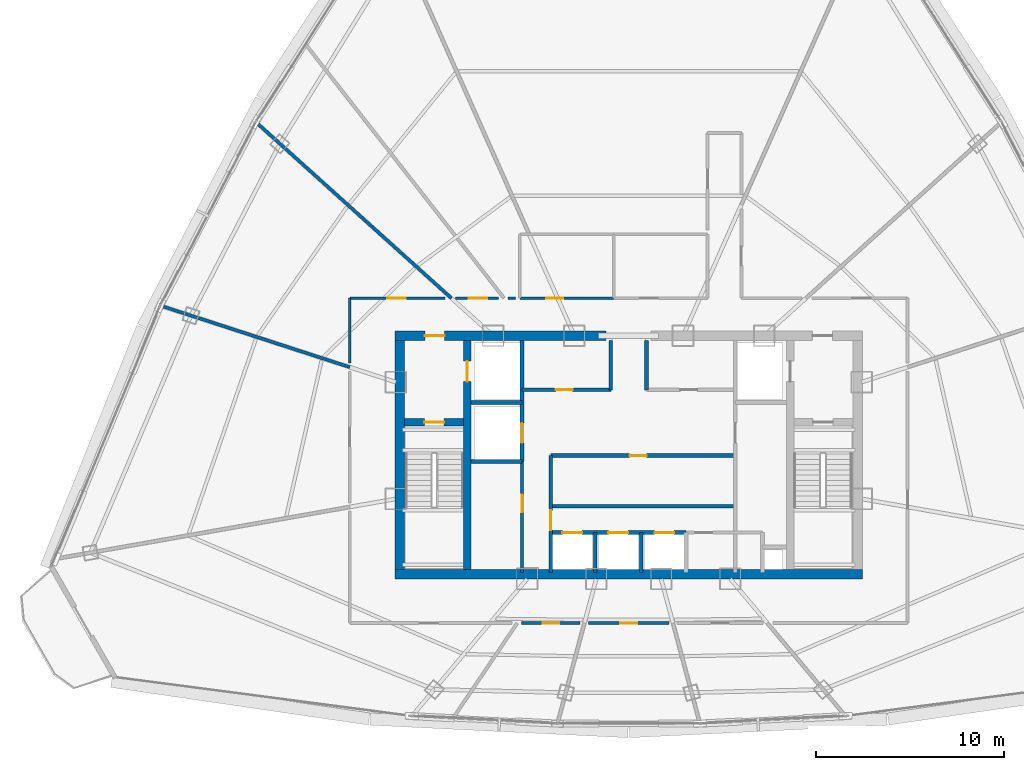
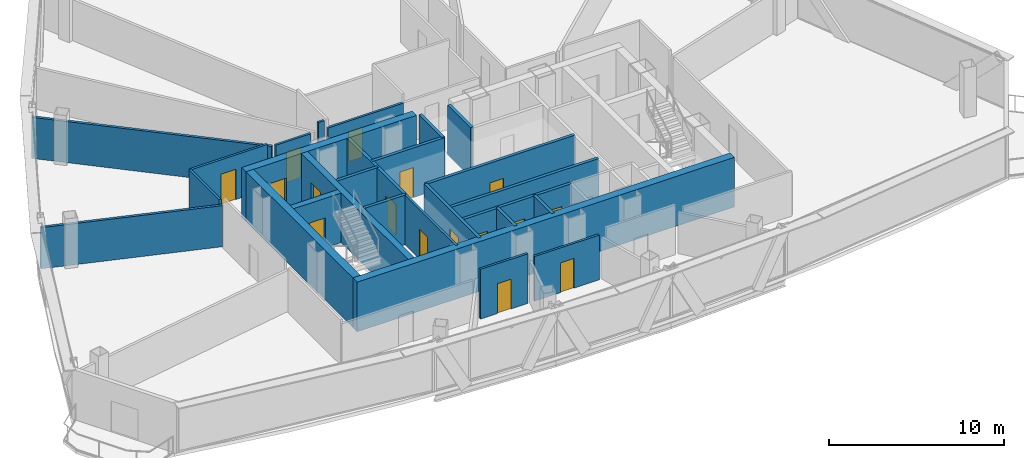
# One storey, part 30 of 35: 27 walls, 16 doors, 16 openings.
"""IFC4 building model written with IfcOpenShell, lengths in metres."""

from ifc_helpers import new_model, si_unit, direction, frame, frame_2d, origin, origin_with_axes, place, context, subcontext, project, spatial, rectangle, extrude, source, transform, mapped, material, layer, layer_set, type_object, element, fill, save


model = new_model("IFC4")

# Units and contexts
model_context = context("Model", 3, precision=1e-05, world=origin(), true_north=direction((0.0, 1.0)))
body_context = subcontext(model_context, "Body", "Model", "MODEL_VIEW")
ifc_project = project(units=[si_unit("LENGTHUNIT", "METRE"), si_unit("AREAUNIT", "SQUARE_METRE"), si_unit("VOLUMEUNIT", "CUBIC_METRE"), si_unit("PLANEANGLEUNIT", "RADIAN"), si_unit("MASSUNIT", "GRAM", prefix="KILO"), si_unit("THERMODYNAMICTEMPERATUREUNIT", "KELVIN"), si_unit("POWERUNIT", "WATT")], contexts=[model_context])

# Site, building, storey
site_placement = place(None, origin())
site = spatial("IfcSite", under=ifc_project, at=site_placement, CompositionType="ELEMENT")
building_placement = place(site_placement, origin())
building = spatial("IfcBuilding", under=site, at=building_placement, Name="Yunzhuo Pagoda Commons", CompositionType="ELEMENT")
storey_placement = place(building_placement, frame((0.0, 0.0, 299.93994140625)))
storey = spatial("IfcBuildingStorey", under=building, at=storey_placement, Name="L75", CompositionType="ELEMENT", Elevation=299.93994140625)

# Wall
ifc_material_1 = material(Name="Concrete C50", Category="concrete")
ifc_layer_1 = layer(ifc_material_1, 0.5)
ifc_layer_set_1 = layer_set([ifc_layer_1], Name="Concrete C50")
wall_type_1 = type_object("IfcWallType", Name="W-C03 Upper Core Shear Wall 500", PredefinedType="SHEAR", material=ifc_layer_set_1)
wall_1_placement = place(storey_placement, frame((35.550048828125, 27.5, 0.0), z_axis=(0.0, 0.0, 1.0), x_axis=(1.0, 0.0, 0.0)))
element("IfcWall", 1, at=wall_1_placement, inside=storey, type_object=wall_type_1, Name="L75 core shear wall S", PredefinedType="SHEAR", context=body_context, shape_type="SweptSolid", body=[
    extrude(rectangle(XDim=24.89990234375, YDim=0.5, at=frame_2d((12.449951171875, 0.0))), origin(), (0.0, 0.0, 1.0), 3.469970703125),
])

# Wall, opening, door
wall_2_placement = place(storey_placement, frame((35.550048828125, 40.199951171875, 0.0), z_axis=(0.0, 0.0, 1.0), x_axis=(1.0, 0.0, 0.0)))
wall_2 = element("IfcWall", 2, at=wall_2_placement, inside=storey, type_object=wall_type_1, Name="L75 core shear wall NW", PredefinedType="SHEAR", context=body_context, shape_type="SweptSolid", body=[
    extrude(rectangle(XDim=11.25, YDim=0.5, at=frame_2d((5.625, 0.0))), origin(), (0.0, 0.0, 1.0), 3.469970703125),
])
opening_1_placement = place(wall_2_placement, frame((1.60009765625, 0.0, 0.0)))
opening_1 = element("IfcOpeningElement", 3, at=opening_1_placement, cuts=wall_2, Name="Opening D-02", PredefinedType="OPENING", context=body_context, shape_type="SweptSolid", body=[
    extrude(rectangle(XDim=1.050048828125, YDim=2.10009765625, at=frame_2d((0.52490234375, 1.050048828125))), frame((0.0, 0.260009765625, 0.0), z_axis=(0.0, -1.0, 0.0), x_axis=(1.0, 0.0, 0.0)), (0.0, 0.0, 1.0), 0.52001953125),
])
ifc_material_2 = material(Name="Galvanized fire-resisting metal leaf")
door_type_1 = type_object("IfcDoorType", Name="D-02 Firefighting Lobby & Refuge Fire Door 1050x2100", OperationType="NOTDEFINED", PredefinedType="DOOR", material=ifc_material_2)
shared_shape_1 = source(origin(), body_context, "Body", "SweptSolid", [
    extrude(rectangle(XDim=1.050048828125, YDim=2.10009765625, at=frame_2d((0.52490234375, 1.050048828125))), frame((0.0, 0.02490234375, 0.0), z_axis=(0.0, -1.0, 0.0), x_axis=(1.0, 0.0, 0.0)), (0.0, 0.0, 1.0), 0.050048828125),
])
door_1_placement = place(opening_1_placement, frame((1.050048828125, 0.0, 0.0), z_axis=(0.0, 0.0, 1.0), x_axis=(-1.0, 0.0, 0.0)))
door_1 = element("IfcDoor", 4, at=door_1_placement, inside=storey, type_object=door_type_1, Name="L75 Firefighting Lobby 1 fire door", OperationType="SINGLE_SWING_LEFT", OverallHeight=2.10009765625, OverallWidth=1.050048828125, PredefinedType="DOOR", context=body_context, shape_type="MappedRepresentation", body=[
    mapped(shared_shape_1, transform((0.0, 0.0, 0.0), scale=1.0)),
])
fill(opening_1, door_1)

# Wall
wall_3_placement = place(storey_placement, frame((35.800048828125, 27.75, 0.0), z_axis=(0.0, 0.0, 1.0), x_axis=(0.0, 1.0, 0.0)))
element("IfcWall", 5, at=wall_3_placement, inside=storey, type_object=wall_type_1, Name="L75 core shear wall W", PredefinedType="SHEAR", context=body_context, shape_type="SweptSolid", body=[
    extrude(rectangle(XDim=12.199951171875, YDim=0.5, at=frame_2d((6.10009765625, 0.0))), origin(), (0.0, 0.0, 1.0), 3.469970703125),
])

# Wall, opening, door
ifc_material_3 = material(Name="Gypsum plasterboard on acoustic stud")
ifc_layer_2 = layer(ifc_material_3, 0.14990234375)
ifc_layer_set_2 = layer_set([ifc_layer_2], Name="Gypsum plasterboard on acoustic stud")
wall_type_2 = type_object("IfcWallType", Name="W-COR3 High-Zone Rated Corridor Wall 150", PredefinedType="PARTITIONING", material=ifc_layer_set_2)
wall_4_placement = place(storey_placement, frame((42.320068359375, 27.60009765625, 0.0), z_axis=(0.0, 0.0, 1.0), x_axis=(0.0, 1.0, 0.0)))
wall_4 = element("IfcWall", 6, at=wall_4_placement, inside=storey, type_object=wall_type_2, Name="L75 interior wall IW-L75-CSWE", PredefinedType="PARTITIONING", context=body_context, shape_type="SweptSolid", body=[
    extrude(rectangle(XDim=5.89990234375, YDim=0.14990234375, at=frame_2d((2.949951171875, 0.0))), origin(), (0.0, 0.0, 1.0), 3.469970703125),
])
opening_2_placement = place(wall_4_placement, frame((3.199951171875, 0.0, 0.0)))
opening_2 = element("IfcOpeningElement", 7, at=opening_2_placement, cuts=wall_4, Name="Opening D-11", PredefinedType="OPENING", context=body_context, shape_type="SweptSolid", body=[
    extrude(rectangle(XDim=0.93994140625, YDim=2.10009765625, at=frame_2d((0.469970703125, 1.050048828125))), frame((0.0, 0.0849609375, 0.0), z_axis=(0.0, -1.0, 0.0), x_axis=(1.0, 0.0, 0.0)), (0.0, 0.0, 1.0), 0.169921875),
])
door_type_2 = type_object("IfcDoorType", Name="D-11 Accessible Washroom Fire Door 940x2100", OperationType="NOTDEFINED", PredefinedType="DOOR", material=ifc_material_2)
shared_shape_2 = source(origin(), body_context, "Body", "SweptSolid", [
    extrude(rectangle(XDim=0.93994140625, YDim=2.10009765625, at=frame_2d((0.469970703125, 1.050048828125))), frame((0.0, 0.02490234375, 0.0), z_axis=(0.0, -1.0, 0.0), x_axis=(1.0, 0.0, 0.0)), (0.0, 0.0, 1.0), 0.050048828125),
])
door_2_placement = place(opening_2_placement, origin_with_axes())
door_2 = element("IfcDoor", 8, at=door_2_placement, inside=storey, type_object=door_type_2, Name="L75 core WC door", OperationType="SINGLE_SWING_LEFT", OverallHeight=2.10009765625, OverallWidth=0.93994140625, PredefinedType="DOOR", context=body_context, shape_type="MappedRepresentation", body=[
    mapped(shared_shape_2, transform((0.0, 0.0, 0.0), scale=1.0)),
])
fill(opening_2, door_2)

wall_5_placement = place(storey_placement, frame((42.199951171875, 42.199951171875, 0.0), z_axis=(0.0, 0.0, 1.0), x_axis=(1.0, 0.0, 0.0)))
wall_5 = element("IfcWall", 9, at=wall_5_placement, inside=storey, type_object=wall_type_2, Name="L75 interior wall IW-L75-TFWS", PredefinedType="PARTITIONING", context=body_context, shape_type="SweptSolid", body=[
    extrude(rectangle(XDim=5.0, YDim=0.14990234375, at=frame_2d((2.5, 0.0))), origin(), (0.0, 0.0, 1.0), 2.8701171875),
])
opening_3_placement = place(wall_5_placement, frame((1.39990234375, 0.0, 0.0)))
opening_3 = element("IfcOpeningElement", 10, at=opening_3_placement, cuts=wall_5, Name="Opening D-04", PredefinedType="OPENING", context=body_context, shape_type="SweptSolid", body=[
    extrude(rectangle(XDim=0.919921875, YDim=2.10009765625, at=frame_2d((0.4599609375, 1.050048828125))), frame((0.0, 0.0849609375, 0.0), z_axis=(0.0, -1.0, 0.0), x_axis=(1.0, 0.0, 0.0)), (0.0, 0.0, 1.0), 0.169921875),
])
ifc_material_4 = material(Name="Powder-coated aluminium and timber acoustic leaf", Category="wood")
door_type_3 = type_object("IfcDoorType", Name="D-04 Bedroom & Study Interior Door 920x2100", OperationType="NOTDEFINED", PredefinedType="DOOR", material=ifc_material_4)
shared_shape_3 = source(origin(), body_context, "Body", "SweptSolid", [
    extrude(rectangle(XDim=0.919921875, YDim=2.10009765625, at=frame_2d((0.4599609375, 1.050048828125))), frame((0.0, 0.02490234375, 0.0), z_axis=(0.0, -1.0, 0.0), x_axis=(1.0, 0.0, 0.0)), (0.0, 0.0, 1.0), 0.050048828125),
])
door_3_placement = place(opening_3_placement, frame((0.919921875, 0.0, 0.0), z_axis=(0.0, 0.0, 1.0), x_axis=(-1.0, 0.0, 0.0)))
door_3 = element("IfcDoor", 11, at=door_3_placement, inside=storey, type_object=door_type_3, Name="L75 laundry door", OperationType="SINGLE_SWING_LEFT", OverallHeight=2.10009765625, OverallWidth=0.919921875, PredefinedType="DOOR", context=body_context, shape_type="MappedRepresentation", body=[
    mapped(shared_shape_3, transform((0.0, 0.0, 0.0), scale=1.0)),
])
fill(opening_3, door_3)

# Wall
wall_6_placement = place(storey_placement, frame((33.14990234375, 38.75634765625, 0.0), z_axis=(0.0, 0.0, 1.0), x_axis=(0.0, 1.0, 0.0)))
element("IfcWall", 12, at=wall_6_placement, inside=storey, type_object=wall_type_2, Name="L75 interior wall IW-L75-CWL03", PredefinedType="PARTITIONING", context=body_context, shape_type="SweptSolid", body=[
    extrude(rectangle(XDim=3.443603515625, YDim=0.14990234375, at=frame_2d((1.7216796875, 0.0))), origin(), (0.0, 0.0, 1.0), 3.1201171875),
])

# Wall, opening, door
wall_7_placement = place(storey_placement, frame((33.14990234375, 42.199951171875, 0.0), z_axis=(0.0, 0.0, 1.0), x_axis=(1.0, 0.0, 0.0)))
wall_7 = element("IfcWall", 13, at=wall_7_placement, inside=storey, type_object=wall_type_2, Name="L75 interior wall IW-L75-CWL04", PredefinedType="PARTITIONING", context=body_context, shape_type="SweptSolid", body=[
    extrude(rectangle(XDim=5.0810546875, YDim=0.14990234375, at=frame_2d((2.54052734375, 0.0))), origin(), (0.0, 0.0, 1.0), 3.1201171875),
])
opening_4_placement = place(wall_7_placement, frame((2.0, 0.0, 0.0)))
opening_4 = element("IfcOpeningElement", 14, at=opening_4_placement, cuts=wall_7, Name="Opening D-08", PredefinedType="OPENING", context=body_context, shape_type="SweptSolid", body=[
    extrude(rectangle(XDim=0.97998046875, YDim=2.1201171875, at=frame_2d((0.489990234375, 1.06005859375))), frame((0.0, 0.0849609375, 0.0), z_axis=(0.0, -1.0, 0.0), x_axis=(1.0, 0.0, 0.0)), (0.0, 0.0, 1.0), 0.169921875),
])
door_type_4 = type_object("IfcDoorType", Name="D-08 High-Zone Suite Entrance Fire Door 980x2120", OperationType="NOTDEFINED", PredefinedType="DOOR", material=ifc_material_2)
shared_shape_4 = source(origin(), body_context, "Body", "SweptSolid", [
    extrude(rectangle(XDim=0.97998046875, YDim=2.1201171875, at=frame_2d((0.489990234375, 1.06005859375))), frame((0.0, 0.02490234375, 0.0), z_axis=(0.0, -1.0, 0.0), x_axis=(1.0, 0.0, 0.0)), (0.0, 0.0, 1.0), 0.050048828125),
])
door_4_placement = place(opening_4_placement, origin_with_axes())
door_4 = element("IfcDoor", 15, at=door_4_placement, inside=storey, type_object=door_type_4, Name="L75 unit 06 entrance door", OperationType="SINGLE_SWING_RIGHT", OverallHeight=2.1201171875, OverallWidth=0.97998046875, PredefinedType="DOOR", context=body_context, shape_type="MappedRepresentation", body=[
    mapped(shared_shape_4, transform((0.0, 0.0, 0.0), scale=1.0)),
])
fill(opening_4, door_4)

wall_8_placement = place(storey_placement, frame((38.779541015625, 42.199951171875, 0.0), z_axis=(0.0, 0.0, 1.0), x_axis=(1.0, 0.0, 0.0)))
wall_8 = element("IfcWall", 16, at=wall_8_placement, inside=storey, type_object=wall_type_2, Name="L75 interior wall IW-L75-CWL05", PredefinedType="PARTITIONING", context=body_context, shape_type="SweptSolid", body=[
    extrude(rectangle(XDim=2.30029296875, YDim=0.14990234375, at=frame_2d((1.150146484375, 0.0))), origin(), (0.0, 0.0, 1.0), 2.8701171875),
])
opening_5_placement = place(wall_8_placement, frame((0.705078125, 0.0, 0.0)))
opening_5 = element("IfcOpeningElement", 17, at=opening_5_placement, cuts=wall_8, Name="Opening D-08", PredefinedType="OPENING", context=body_context, shape_type="SweptSolid", body=[
    extrude(rectangle(XDim=0.97998046875, YDim=2.1201171875, at=frame_2d((0.489990234375, 1.06005859375))), frame((0.0, 0.0849609375, 0.0), z_axis=(0.0, -1.0, 0.0), x_axis=(1.0, 0.0, 0.0)), (0.0, 0.0, 1.0), 0.169921875),
])
door_5_placement = place(opening_5_placement, origin_with_axes())
door_5 = element("IfcDoor", 18, at=door_5_placement, inside=storey, type_object=door_type_4, Name="L75 unit 05 entrance door", OperationType="SINGLE_SWING_LEFT", OverallHeight=2.1201171875, OverallWidth=0.97998046875, PredefinedType="DOOR", context=body_context, shape_type="MappedRepresentation", body=[
    mapped(shared_shape_4, transform((0.0, 0.0, 0.0), scale=1.0)),
])
fill(opening_5, door_5)

# Wall
wall_9_placement = place(storey_placement, frame((41.578857421875, 42.199951171875, 0.0), z_axis=(0.0, 0.0, 1.0), x_axis=(1.0, 0.0, 0.0)))
element("IfcWall", 19, at=wall_9_placement, inside=storey, type_object=wall_type_2, Name="L75 interior wall IW-L75-CWL06", PredefinedType="PARTITIONING", context=body_context, shape_type="SweptSolid", body=[
    extrude(rectangle(XDim=0.401123046875, YDim=0.14990234375, at=frame_2d((0.20068359375, 0.0))), origin(), (0.0, 0.0, 1.0), 3.469970703125),
])

# Wall, opening, door
wall_10_placement = place(storey_placement, frame((50.13818359375, 24.89990234375, 0.0), z_axis=(0.0, 0.0, 1.0), x_axis=(-1.0, 0.0, 0.0)))
wall_10 = element("IfcWall", 20, at=wall_10_placement, inside=storey, type_object=wall_type_2, Name="L75 interior wall IW-L75-CWL17", PredefinedType="PARTITIONING", context=body_context, shape_type="SweptSolid", body=[
    extrude(rectangle(XDim=4.2763671875, YDim=0.14990234375, at=frame_2d((2.13818359375, 0.0))), origin(), (0.0, 0.0, 1.0), 3.1201171875),
])
opening_6_placement = place(wall_10_placement, frame((1.67822265625, 0.0, 0.0)))
opening_6 = element("IfcOpeningElement", 21, at=opening_6_placement, cuts=wall_10, Name="Opening D-12", PredefinedType="OPENING", context=body_context, shape_type="SweptSolid", body=[
    extrude(rectangle(XDim=0.89990234375, YDim=2.080078125, at=frame_2d((0.449951171875, 1.0400390625))), frame((0.0, 0.0849609375, 0.0), z_axis=(0.0, -1.0, 0.0), x_axis=(1.0, 0.0, 0.0)), (0.0, 0.0, 1.0), 0.169921875),
])
door_type_5 = type_object("IfcDoorType", Name="D-12 Quiet Study Interior Door 900x2080", OperationType="NOTDEFINED", PredefinedType="DOOR", material=ifc_material_4)
shared_shape_5 = source(origin(), body_context, "Body", "SweptSolid", [
    extrude(rectangle(XDim=0.89990234375, YDim=2.080078125, at=frame_2d((0.449951171875, 1.0400390625))), frame((0.0, 0.02490234375, 0.0), z_axis=(0.0, -1.0, 0.0), x_axis=(1.0, 0.0, 0.0)), (0.0, 0.0, 1.0), 0.050048828125),
])
door_6_placement = place(opening_6_placement, origin_with_axes())
door_6 = element("IfcDoor", 22, at=door_6_placement, inside=storey, type_object=door_type_5, Name="L75 study lounge 10 door", OperationType="SINGLE_SWING_RIGHT", OverallHeight=2.080078125, OverallWidth=0.89990234375, PredefinedType="DOOR", context=body_context, shape_type="MappedRepresentation", body=[
    mapped(shared_shape_5, transform((0.0, 0.0, 0.0), scale=1.0)),
])
fill(opening_6, door_6)

wall_11_placement = place(storey_placement, frame((45.414306640625, 24.89990234375, 0.0), z_axis=(0.0, 0.0, 1.0), x_axis=(-1.0, 0.0, 0.0)))
wall_11 = element("IfcWall", 23, at=wall_11_placement, inside=storey, type_object=wall_type_2, Name="L75 interior wall IW-L75-CWL18", PredefinedType="PARTITIONING", context=body_context, shape_type="SweptSolid", body=[
    extrude(rectangle(XDim=3.130126953125, YDim=0.14990234375, at=frame_2d((1.56494140625, 0.0))), origin(), (0.0, 0.0, 1.0), 3.469970703125),
])
opening_7_placement = place(wall_11_placement, frame((1.10107421875, 0.0, 0.0)))
opening_7 = element("IfcOpeningElement", 24, at=opening_7_placement, cuts=wall_11, Name="Opening D-12", PredefinedType="OPENING", context=body_context, shape_type="SweptSolid", body=[
    extrude(rectangle(XDim=0.89990234375, YDim=2.080078125, at=frame_2d((0.449951171875, 1.0400390625))), frame((0.0, 0.0849609375, 0.0), z_axis=(0.0, -1.0, 0.0), x_axis=(1.0, 0.0, 0.0)), (0.0, 0.0, 1.0), 0.169921875),
])
door_7_placement = place(opening_7_placement, origin_with_axes())
door_7 = element("IfcDoor", 25, at=door_7_placement, inside=storey, type_object=door_type_5, Name="L75 study lounge 09 door", OperationType="SINGLE_SWING_LEFT", OverallHeight=2.080078125, OverallWidth=0.89990234375, PredefinedType="DOOR", context=body_context, shape_type="MappedRepresentation", body=[
    mapped(shared_shape_5, transform((0.0, 0.0, 0.0), scale=1.0)),
])
fill(opening_7, door_7)

# Walls
ifc_layer_3 = layer(ifc_material_3, 0.169921875)
ifc_layer_set_3 = layer_set([ifc_layer_3], Name="Gypsum plasterboard on acoustic stud")
wall_type_3 = type_object("IfcWallType", Name="W-PRT4 High-Zone Demising Wall 170", PredefinedType="PARTITIONING", material=ifc_layer_set_3)
wall_12_placement = place(storey_placement, frame((38.559814453125, 42.199951171875, 0.0), z_axis=(0.0, 0.0, 1.0), x_axis=(-0.74314439151, 0.669131088329, 0.0)))
element("IfcWall", 26, at=wall_12_placement, inside=storey, type_object=wall_type_3, Name="L75 interior wall IW-L75-RAD06", PredefinedType="PARTITIONING", context=body_context, shape_type="SweptSolid", body=[
    extrude(rectangle(XDim=14.025634765625, YDim=0.169921875, at=frame_2d((7.0126953125, 0.0))), origin(), (0.0, 0.0, 1.0), 2.8701171875),
])
wall_13_placement = place(storey_placement, frame((33.14990234375, 38.525146484375, 0.0), z_axis=(0.0, 0.0, 1.0), x_axis=(-0.951060589798, 0.309004457141, 0.0)))
element("IfcWall", 27, at=wall_13_placement, inside=storey, type_object=wall_type_3, Name="L75 interior wall IW-L75-RAD07", PredefinedType="PARTITIONING", context=body_context, shape_type="SweptSolid", body=[
    extrude(rectangle(XDim=10.61962890625, YDim=0.169921875, at=frame_2d((5.309814453125, 0.0))), origin(), (0.0, 0.0, 1.0), 2.8701171875),
])

# Wall, opening, door
ifc_material_5 = material(Name="Concrete C60", Category="concrete")
ifc_layer_4 = layer(ifc_material_5, 0.39990234375)
ifc_layer_set_4 = layer_set([ifc_layer_4], Name="Concrete C60")
wall_type_4 = type_object("IfcWallType", Name="W-S01 Internal Core Shear Web 400", PredefinedType="SHEAR", material=ifc_layer_set_4)
wall_14_placement = place(storey_placement, frame((39.39990234375, 27.75, 0.0), z_axis=(0.0, 0.0, 1.0), x_axis=(0.0, 1.0, 0.0)))
wall_14 = element("IfcWall", 28, at=wall_14_placement, inside=storey, type_object=wall_type_4, Name="L75 core shear wall WEBW", PredefinedType="SHEAR", context=body_context, shape_type="SweptSolid", body=[
    extrude(rectangle(XDim=12.199951171875, YDim=0.39990234375, at=frame_2d((6.10009765625, 0.0))), origin(), (0.0, 0.0, 1.0), 3.469970703125),
])
opening_8_placement = place(wall_14_placement, frame((10.0, 0.0, 0.0)))
opening_8 = element("IfcOpeningElement", 29, at=opening_8_placement, cuts=wall_14, Name="Opening LD-01", PredefinedType="OPENING", context=body_context, shape_type="SweptSolid", body=[
    extrude(rectangle(XDim=1.10009765625, YDim=2.10009765625, at=frame_2d((0.550048828125, 1.050048828125))), frame((0.0, 0.2099609375, 0.0), z_axis=(0.0, -1.0, 0.0), x_axis=(1.0, 0.0, 0.0)), (0.0, 0.0, 1.0), 0.419921875),
])
door_type_6 = type_object("IfcDoorType", Name="LD-01 Firefighting Lift Landing Door 1100x2100", OperationType="DOUBLE_DOOR_SLIDING", PredefinedType="DOOR", material=ifc_material_2)
shared_shape_6 = source(origin(), body_context, "Body", "SweptSolid", [
    extrude(rectangle(XDim=1.10009765625, YDim=2.10009765625, at=frame_2d((0.550048828125, 1.050048828125))), frame((0.0, 0.02490234375, 0.0), z_axis=(0.0, -1.0, 0.0), x_axis=(1.0, 0.0, 0.0)), (0.0, 0.0, 1.0), 0.050048828125),
])
door_8_placement = place(opening_8_placement, frame((1.10009765625, 0.0, 0.0), z_axis=(0.0, 0.0, 1.0), x_axis=(-1.0, 0.0, 0.0)))
door_8 = element("IfcDoor", 30, at=door_8_placement, inside=storey, type_object=door_type_6, Name="L75 Firefighting lift FL-1 landing door", OperationType="DOUBLE_DOOR_SLIDING", OverallHeight=2.10009765625, OverallWidth=1.10009765625, PredefinedType="DOOR", context=body_context, shape_type="MappedRepresentation", body=[
    mapped(shared_shape_6, transform((0.0, 0.0, 0.0), scale=1.0)),
])
fill(opening_8, door_8)

wall_15_placement = place(storey_placement, frame((36.050048828125, 35.60009765625, 0.0), z_axis=(0.0, 0.0, 1.0), x_axis=(1.0, 0.0, 0.0)))
wall_15 = element("IfcWall", 31, at=wall_15_placement, inside=storey, type_object=wall_type_4, Name="L75 core shear wall STW", PredefinedType="SHEAR", context=body_context, shape_type="SweptSolid", body=[
    extrude(rectangle(XDim=3.14990234375, YDim=0.39990234375, at=frame_2d((1.574951171875, 0.0))), origin(), (0.0, 0.0, 1.0), 3.469970703125),
])
opening_9_placement = place(wall_15_placement, frame((1.070068359375, 0.0, 0.0)))
opening_9 = element("IfcOpeningElement", 32, at=opening_9_placement, cuts=wall_15, Name="Opening D-01", PredefinedType="OPENING", context=body_context, shape_type="SweptSolid", body=[
    extrude(rectangle(XDim=1.050048828125, YDim=2.10009765625, at=frame_2d((0.52490234375, 1.050048828125))), frame((0.0, 0.2099609375, 0.0), z_axis=(0.0, -1.0, 0.0), x_axis=(1.0, 0.0, 0.0)), (0.0, 0.0, 1.0), 0.419921875),
])
door_type_7 = type_object("IfcDoorType", Name="D-01 Smokeproof Stair Fire Door 1050x2100", OperationType="NOTDEFINED", PredefinedType="DOOR", material=ifc_material_2)
door_9_placement = place(opening_9_placement, frame((1.050048828125, 0.0, 0.0), z_axis=(0.0, 0.0, 1.0), x_axis=(-1.0, 0.0, 0.0)))
door_9 = element("IfcDoor", 33, at=door_9_placement, inside=storey, type_object=door_type_7, Name="L75 Stair ST1 fire door", OperationType="SINGLE_SWING_LEFT", OverallHeight=2.10009765625, OverallWidth=1.050048828125, PredefinedType="DOOR", context=body_context, shape_type="MappedRepresentation", body=[
    mapped(shared_shape_1, transform((0.0, 0.0, 0.0), scale=1.0)),
])
fill(opening_9, door_9)

ifc_material_6 = material(Name="Concrete C40", Category="concrete")
ifc_layer_5 = layer(ifc_material_6, 0.199951171875)
ifc_layer_set_5 = layer_set([ifc_layer_5], Name="Concrete C40")
wall_type_5 = type_object("IfcWallType", Name="W-SHF Shaft & Stair Enclosure Wall 200", PredefinedType="SOLIDWALL", material=ifc_layer_set_5)
wall_16_placement = place(storey_placement, frame((42.320068359375, 33.5, 0.0), z_axis=(0.0, 0.0, 1.0), x_axis=(0.0, 1.0, 0.0)))
wall_16 = element("IfcWall", 34, at=wall_16_placement, inside=storey, type_object=wall_type_5, Name="L75 interior wall IW-L75-FL1E", PredefinedType="SOLIDWALL", context=body_context, shape_type="SweptSolid", body=[
    extrude(rectangle(XDim=6.449951171875, YDim=0.199951171875, at=frame_2d((3.22509765625, 0.0))), origin(), (0.0, 0.0, 1.0), 3.469970703125),
])
opening_10_placement = place(wall_16_placement, frame((1.0, 0.0, 0.0)))
opening_10 = element("IfcOpeningElement", 35, at=opening_10_placement, cuts=wall_16, Name="Opening LD-02", PredefinedType="OPENING", context=body_context, shape_type="SweptSolid", body=[
    extrude(rectangle(XDim=1.050048828125, YDim=2.10009765625, at=frame_2d((0.52490234375, 1.050048828125))), frame((0.0, 0.10986328125, 0.0), z_axis=(0.0, -1.0, 0.0), x_axis=(1.0, 0.0, 0.0)), (0.0, 0.0, 1.0), 0.219970703125),
])
door_type_8 = type_object("IfcDoorType", Name="LD-02 Passenger Lift Landing Door 1050x2100", OperationType="DOUBLE_DOOR_SLIDING", PredefinedType="DOOR", material=ifc_material_2)
door_10_placement = place(opening_10_placement, origin_with_axes())
door_10 = element("IfcDoor", 36, at=door_10_placement, inside=storey, type_object=door_type_8, Name="L75 Service lift SL-1 landing door", OperationType="DOUBLE_DOOR_SLIDING", OverallHeight=2.10009765625, OverallWidth=1.050048828125, PredefinedType="DOOR", context=body_context, shape_type="MappedRepresentation", body=[
    mapped(shared_shape_1, transform((0.0, 0.0, 0.0), scale=1.0)),
])
fill(opening_10, door_10)

# Walls
for number, where, z_axis, x_axis, name in (
    (37, (39.60009765625, 36.64990234375, 0.0), (0.0, 0.0, 1.0), (1.0, 0.0, 0.0), "L75 interior wall IW-L75-FL1S"),
    (38, (39.60009765625, 33.5, 0.0), (0.0, 0.0, 1.0), (1.0, 0.0, 0.0), "L75 interior wall IW-L75-SL1S"),
):
    element("IfcWall", number, at=place(storey_placement, frame(where, z_axis=z_axis, x_axis=x_axis)), inside=storey, type_object=wall_type_5, Name=name, PredefinedType="SOLIDWALL", context=body_context, shape_type="SweptSolid", body=[
        extrude(rectangle(XDim=2.719970703125, YDim=0.199951171875, at=frame_2d((1.35986328125, 0.0))), origin(), (0.0, 0.0, 1.0), 3.469970703125),
    ])

# Wall, opening, door
wall_17_placement = place(storey_placement, frame((42.320068359375, 37.320068359375, 0.0), z_axis=(0.0, 0.0, 1.0), x_axis=(1.0, 0.0, 0.0)))
wall_17 = element("IfcWall", 39, at=wall_17_placement, inside=storey, type_object=wall_type_5, Name="L75 interior wall IW-L75-LBNW", PredefinedType="SOLIDWALL", context=body_context, shape_type="SweptSolid", body=[
    extrude(rectangle(XDim=4.72998046875, YDim=0.199951171875, at=frame_2d((2.364990234375, 0.0))), origin(), (0.0, 0.0, 1.0), 3.469970703125),
])
opening_11_placement = place(wall_17_placement, frame((1.800048828125, 0.0, 0.0)))
opening_11 = element("IfcOpeningElement", 40, at=opening_11_placement, cuts=wall_17, Name="Opening D-03", PredefinedType="OPENING", context=body_context, shape_type="SweptSolid", body=[
    extrude(rectangle(XDim=0.89990234375, YDim=2.10009765625, at=frame_2d((0.449951171875, 1.050048828125))), frame((0.0, 0.10986328125, 0.0), z_axis=(0.0, -1.0, 0.0), x_axis=(1.0, 0.0, 0.0)), (0.0, 0.0, 1.0), 0.219970703125),
])
door_type_9 = type_object("IfcDoorType", Name="D-03 Core Service Fire Door 900x2100", OperationType="NOTDEFINED", PredefinedType="DOOR", material=ifc_material_2)
shared_shape_7 = source(origin(), body_context, "Body", "SweptSolid", [
    extrude(rectangle(XDim=0.89990234375, YDim=2.10009765625, at=frame_2d((0.449951171875, 1.050048828125))), frame((0.0, 0.02490234375, 0.0), z_axis=(0.0, -1.0, 0.0), x_axis=(1.0, 0.0, 0.0)), (0.0, 0.0, 1.0), 0.050048828125),
])
door_11_placement = place(opening_11_placement, frame((0.89990234375, 0.0, 0.0), z_axis=(0.0, 0.0, 1.0), x_axis=(-1.0, 0.0, 0.0)))
door_11 = element("IfcDoor", 41, at=door_11_placement, inside=storey, type_object=door_type_9, Name="L75 core west store door", OperationType="SINGLE_SWING_LEFT", OverallHeight=2.10009765625, OverallWidth=0.89990234375, PredefinedType="DOOR", context=body_context, shape_type="MappedRepresentation", body=[
    mapped(shared_shape_7, transform((0.0, 0.0, 0.0), scale=1.0)),
])
fill(opening_11, door_11)

# Walls
for number, where, z_axis, x_axis, name in (
    (42, (47.050048828125, 37.320068359375, 0.0), (0.0, 0.0, 1.0), (0.0, 1.0, 0.0), "L75 interior wall IW-L75-THRW"),
    (43, (48.949951171875, 37.320068359375, 0.0), (0.0, 0.0, 1.0), (0.0, 1.0, 0.0), "L75 interior wall IW-L75-THRE"),
):
    element("IfcWall", number, at=place(storey_placement, frame(where, z_axis=z_axis, x_axis=x_axis)), inside=storey, type_object=wall_type_5, Name=name, PredefinedType="SOLIDWALL", context=body_context, shape_type="SweptSolid", body=[
        extrude(rectangle(XDim=2.6298828125, YDim=0.199951171875, at=frame_2d((1.31494140625, 0.0))), origin(), (0.0, 0.0, 1.0), 3.469970703125),
    ])

# Wall, opening, door
wall_18_placement = place(storey_placement, frame((43.85009765625, 33.820068359375, 0.0), z_axis=(0.0, 0.0, 1.0), x_axis=(1.0, 0.0, 0.0)))
wall_18 = element("IfcWall", 44, at=wall_18_placement, inside=storey, type_object=wall_type_5, Name="L75 interior wall IW-L75-MLBS", PredefinedType="SOLIDWALL", context=body_context, shape_type="SweptSolid", body=[
    extrude(rectangle(XDim=9.829833984375, YDim=0.199951171875, at=frame_2d((4.9150390625, 0.0))), origin(), (0.0, 0.0, 1.0), 3.469970703125),
])
opening_12_placement = place(wall_18_placement, frame((4.199951171875, 0.0, 0.0)))
opening_12 = element("IfcOpeningElement", 45, at=opening_12_placement, cuts=wall_18, Name="Opening D-03", PredefinedType="OPENING", context=body_context, shape_type="SweptSolid", body=[
    extrude(rectangle(XDim=0.89990234375, YDim=2.10009765625, at=frame_2d((0.449951171875, 1.050048828125))), frame((0.0, 0.10986328125, 0.0), z_axis=(0.0, -1.0, 0.0), x_axis=(1.0, 0.0, 0.0)), (0.0, 0.0, 1.0), 0.219970703125),
])
door_12_placement = place(opening_12_placement, origin_with_axes())
door_12 = element("IfcDoor", 46, at=door_12_placement, inside=storey, type_object=door_type_9, Name="L75 core archive store door", OperationType="SINGLE_SWING_LEFT", OverallHeight=2.10009765625, OverallWidth=0.89990234375, PredefinedType="DOOR", context=body_context, shape_type="MappedRepresentation", body=[
    mapped(shared_shape_7, transform((0.0, 0.0, 0.0), scale=1.0)),
])
fill(opening_12, door_12)

wall_19_placement = place(storey_placement, frame((43.85009765625, 27.60009765625, 0.0), z_axis=(0.0, 0.0, 1.0), x_axis=(0.0, 1.0, 0.0)))
wall_19 = element("IfcWall", 47, at=wall_19_placement, inside=storey, type_object=wall_type_5, Name="L75 interior wall IW-L75-PLMW", PredefinedType="SOLIDWALL", context=body_context, shape_type="SweptSolid", body=[
    extrude(rectangle(XDim=6.219970703125, YDim=0.199951171875, at=frame_2d((3.10986328125, 0.0))), origin(), (0.0, 0.0, 1.0), 3.469970703125),
])
opening_13_placement = place(wall_19_placement, frame((2.25, 0.0, 0.0)))
opening_13 = element("IfcOpeningElement", 48, at=opening_13_placement, cuts=wall_19, Name="Opening D-02", PredefinedType="OPENING", context=body_context, shape_type="SweptSolid", body=[
    extrude(rectangle(XDim=1.050048828125, YDim=2.10009765625, at=frame_2d((0.52490234375, 1.050048828125))), frame((0.0, 0.10986328125, 0.0), z_axis=(0.0, -1.0, 0.0), x_axis=(1.0, 0.0, 0.0)), (0.0, 0.0, 1.0), 0.219970703125),
])
door_13_placement = place(opening_13_placement, frame((1.050048828125, 0.0, 0.0), z_axis=(0.0, 0.0, 1.0), x_axis=(-1.0, 0.0, 0.0)))
door_13 = element("IfcDoor", 49, at=door_13_placement, inside=storey, type_object=door_type_1, Name="L75 High-bank hall west door", OperationType="SINGLE_SWING_LEFT", OverallHeight=2.10009765625, OverallWidth=1.050048828125, PredefinedType="DOOR", context=body_context, shape_type="MappedRepresentation", body=[
    mapped(shared_shape_1, transform((0.0, 0.0, 0.0), scale=1.0)),
])
fill(opening_13, door_13)

# Wall, openings, doors
wall_20_placement = place(storey_placement, frame((43.85009765625, 29.719970703125, 0.0), z_axis=(0.0, 0.0, 1.0), x_axis=(1.0, 0.0, 0.0)))
wall_20 = element("IfcWall", 50, at=wall_20_placement, inside=storey, type_object=wall_type_5, Name="L75 interior wall IW-L75-PLHN", PredefinedType="SOLIDWALL", context=body_context, shape_type="SweptSolid", body=[
    extrude(rectangle(XDim=7.199951171875, YDim=0.199951171875, at=frame_2d((3.60009765625, 0.0))), origin(), (0.0, 0.0, 1.0), 3.469970703125),
])
opening_14_placement = place(wall_20_placement, frame((0.625, 0.0, 0.0)))
opening_14 = element("IfcOpeningElement", 51, at=opening_14_placement, cuts=wall_20, Name="Opening LD-02", PredefinedType="OPENING", context=body_context, shape_type="SweptSolid", body=[
    extrude(rectangle(XDim=1.050048828125, YDim=2.10009765625, at=frame_2d((0.52490234375, 1.050048828125))), frame((0.0, 0.10986328125, 0.0), z_axis=(0.0, -1.0, 0.0), x_axis=(1.0, 0.0, 0.0)), (0.0, 0.0, 1.0), 0.219970703125),
])
opening_15_placement = place(wall_20_placement, frame((3.074951171875, 0.0, 0.0)))
opening_15 = element("IfcOpeningElement", 52, at=opening_15_placement, cuts=wall_20, Name="Opening LD-02", PredefinedType="OPENING", context=body_context, shape_type="SweptSolid", body=[
    extrude(rectangle(XDim=1.050048828125, YDim=2.10009765625, at=frame_2d((0.52490234375, 1.050048828125))), frame((0.0, 0.10986328125, 0.0), z_axis=(0.0, -1.0, 0.0), x_axis=(1.0, 0.0, 0.0)), (0.0, 0.0, 1.0), 0.219970703125),
])
opening_16_placement = place(wall_20_placement, frame((5.52490234375, 0.0, 0.0)))
opening_16 = element("IfcOpeningElement", 53, at=opening_16_placement, cuts=wall_20, Name="Opening LD-02", PredefinedType="OPENING", context=body_context, shape_type="SweptSolid", body=[
    extrude(rectangle(XDim=1.050048828125, YDim=2.10009765625, at=frame_2d((0.52490234375, 1.050048828125))), frame((0.0, 0.10986328125, 0.0), z_axis=(0.0, -1.0, 0.0), x_axis=(1.0, 0.0, 0.0)), (0.0, 0.0, 1.0), 0.219970703125),
])
door_14_placement = place(opening_14_placement, origin_with_axes())
door_14 = element("IfcDoor", 54, at=door_14_placement, inside=storey, type_object=door_type_8, Name="L75 Passenger lift PL-H1 landing door", OperationType="DOUBLE_DOOR_SLIDING", OverallHeight=2.10009765625, OverallWidth=1.050048828125, PredefinedType="DOOR", context=body_context, shape_type="MappedRepresentation", body=[
    mapped(shared_shape_1, transform((0.0, 0.0, 0.0), scale=1.0)),
])
fill(opening_14, door_14)
door_15_placement = place(opening_15_placement, origin_with_axes())
door_15 = element("IfcDoor", 55, at=door_15_placement, inside=storey, type_object=door_type_8, Name="L75 Passenger lift PL-H2 landing door", OperationType="DOUBLE_DOOR_SLIDING", OverallHeight=2.10009765625, OverallWidth=1.050048828125, PredefinedType="DOOR", context=body_context, shape_type="MappedRepresentation", body=[
    mapped(shared_shape_1, transform((0.0, 0.0, 0.0), scale=1.0)),
])
fill(opening_15, door_15)
door_16_placement = place(opening_16_placement, origin_with_axes())
door_16 = element("IfcDoor", 56, at=door_16_placement, inside=storey, type_object=door_type_8, Name="L75 Passenger lift PL-H3 landing door", OperationType="DOUBLE_DOOR_SLIDING", OverallHeight=2.10009765625, OverallWidth=1.050048828125, PredefinedType="DOOR", context=body_context, shape_type="MappedRepresentation", body=[
    mapped(shared_shape_1, transform((0.0, 0.0, 0.0), scale=1.0)),
])
fill(opening_16, door_16)

# Walls
wall_21_placement = place(storey_placement, frame((43.85009765625, 31.1201171875, 0.0), z_axis=(0.0, 0.0, 1.0), x_axis=(1.0, 0.0, 0.0)))
element("IfcWall", 57, at=wall_21_placement, inside=storey, type_object=wall_type_5, Name="L75 interior wall IW-L75-PLMS2", PredefinedType="SOLIDWALL", context=body_context, shape_type="SweptSolid", body=[
    extrude(rectangle(XDim=9.829833984375, YDim=0.199951171875, at=frame_2d((4.9150390625, 0.0))), origin(), (0.0, 0.0, 1.0), 3.469970703125),
])
for number, where, z_axis, x_axis, name in (
    (58, (46.22509765625, 27.60009765625, 0.0), (0.0, 0.0, 1.0), (0.0, 1.0, 0.0), "L75 interior wall IW-L75-PLHD1"),
    (59, (48.675048828125, 27.60009765625, 0.0), (0.0, 0.0, 1.0), (0.0, 1.0, 0.0), "L75 interior wall IW-L75-PLHD2"),
):
    element("IfcWall", number, at=place(storey_placement, frame(where, z_axis=z_axis, x_axis=x_axis)), inside=storey, type_object=wall_type_5, Name=name, PredefinedType="SOLIDWALL", context=body_context, shape_type="SweptSolid", body=[
        extrude(rectangle(XDim=2.119873046875, YDim=0.199951171875, at=frame_2d((1.06005859375, 0.0))), origin(), (0.0, 0.0, 1.0), 3.469970703125),
    ])

save(model, "model.ifc")
